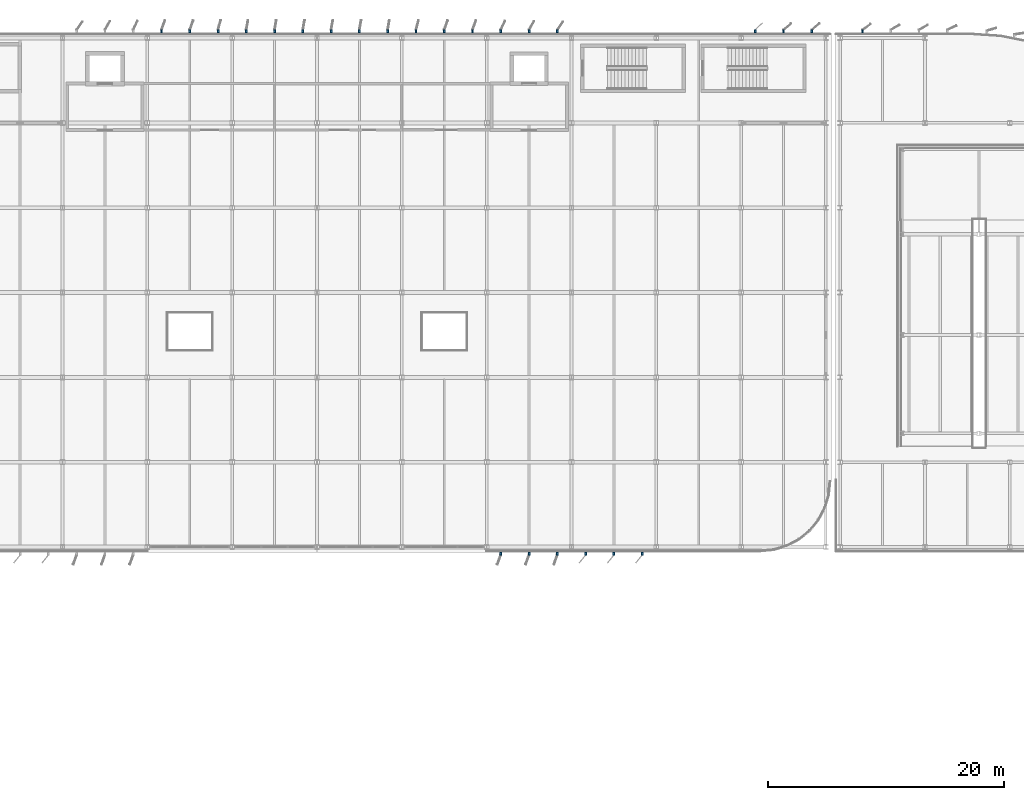
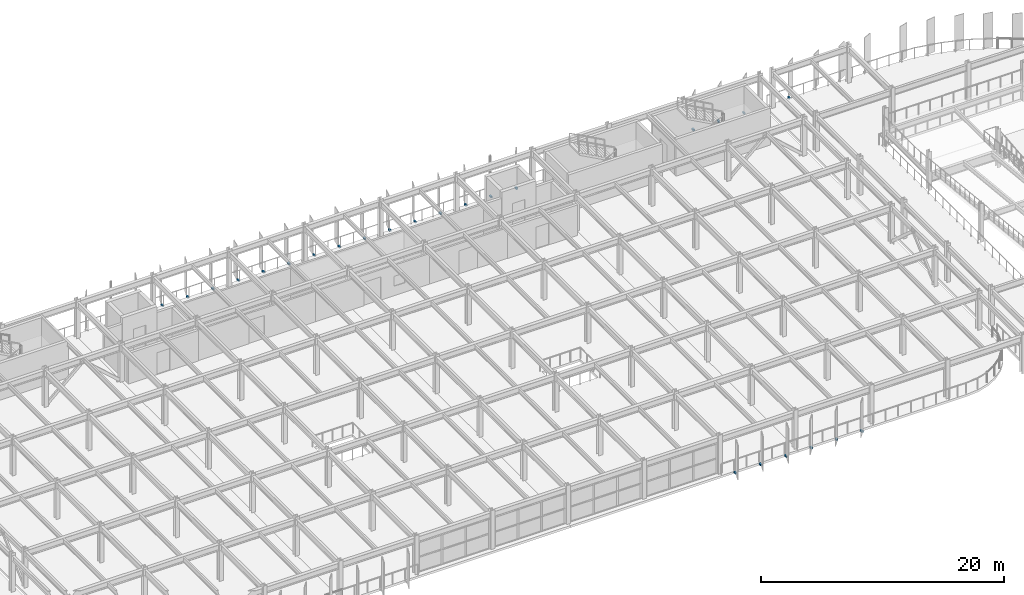
# One storey, part 59 of 80: 25 discrete accessories.
"""IFC4 building model written with IfcOpenShell, lengths in metres."""

from ifc_helpers import new_model, si_unit, direction, frame, origin, origin_2d, place, context, subcontext, project, spatial, rectangle, extrude, material, type_object, element, save


model = new_model("IFC4")

# Units and contexts
model_context = context("Model", 3, precision=1e-05, world=origin(), true_north=direction((0.0, 1.0)))
body_context = subcontext(model_context, "Body", "Model", "MODEL_VIEW")
ifc_project = project(units=[si_unit("LENGTHUNIT", "METRE"), si_unit("AREAUNIT", "SQUARE_METRE"), si_unit("VOLUMEUNIT", "CUBIC_METRE"), si_unit("PLANEANGLEUNIT", "RADIAN"), si_unit("MASSUNIT", "GRAM", prefix="KILO")], contexts=[model_context])

# Site, building, storey
site_placement = place(None, origin())
site = spatial("IfcSite", under=ifc_project, at=site_placement, CompositionType="ELEMENT")
building_placement = place(site_placement, origin())
building = spatial("IfcBuilding", under=site, at=building_placement, Name="Vaelcorin Mobility Hub", CompositionType="ELEMENT")
storey_placement = place(building_placement, frame((0.0, 0.0, 9.300048828125)))
storey = spatial("IfcBuildingStorey", under=building, at=storey_placement, Name="L02", CompositionType="ELEMENT", Elevation=9.300048828125)

# Discrete accessories
ifc_material = material(Name="Galvanised structural steel ASTM A36", Category="steel")
discrete_accessory_type = type_object("IfcDiscreteAccessoryType", Name="ACC-BRK-FIN", PredefinedType="BRACKET", material=ifc_material)
for number, where, z_axis, x_axis, name in (
    (1, (66.0, 120.570068359375, -0.16015625), (0.0, 0.0, 1.0), (0.0, 1.0, 0.0), "Aerofoil Outrigger Bracket FIN-V4-L02-N-05-BK-01"),
    (2, (68.39990234375, 120.570068359375, -0.16015625), (0.0, 0.0, 1.0), (0.0, 1.0, 0.0), "Aerofoil Outrigger Bracket FIN-V4-L02-N-05-BK-02"),
    (3, (70.800048828125, 120.570068359375, -0.16015625), (0.0, 0.0, 1.0), (0.0, 1.0, 0.0), "Aerofoil Outrigger Bracket FIN-V4-L02-N-05-BK-03"),
    (4, (73.199951171875, 120.570068359375, -0.16015625), (0.0, 0.0, 1.0), (0.0, 1.0, 0.0), "Aerofoil Outrigger Bracket FIN-V4-L02-N-06-BK-01"),
    (5, (75.60009765625, 120.570068359375, -0.16015625), (0.0, 0.0, 1.0), (0.0, 1.0, 0.0), "Aerofoil Outrigger Bracket FIN-V4-L02-N-06-BK-02"),
    (6, (78.0, 120.570068359375, -0.16015625), (0.0, 0.0, 1.0), (0.0, 1.0, 0.0), "Aerofoil Outrigger Bracket FIN-V4-L02-N-06-BK-03"),
    (7, (80.39990234375, 120.570068359375, -0.16015625), (0.0, 0.0, 1.0), (0.0, 1.0, 0.0), "Aerofoil Outrigger Bracket FIN-V4-L02-N-07-BK-01"),
    (8, (82.800048828125, 120.570068359375, -0.16015625), (0.0, 0.0, 1.0), (0.0, 1.0, 0.0), "Aerofoil Outrigger Bracket FIN-V4-L02-N-07-BK-02"),
    (9, (85.199951171875, 120.570068359375, -0.16015625), (0.0, 0.0, 1.0), (0.0, 1.0, 0.0), "Aerofoil Outrigger Bracket FIN-V4-L02-N-07-BK-03"),
    (10, (87.60009765625, 120.570068359375, -0.16015625), (0.0, 0.0, 1.0), (0.0, 1.0, 0.0), "Aerofoil Outrigger Bracket FIN-V4-L02-N-08-BK-01"),
    (11, (90.0, 120.570068359375, -0.16015625), (0.0, 0.0, 1.0), (0.0, 1.0, 0.0), "Aerofoil Outrigger Bracket FIN-V4-L02-N-08-BK-02"),
    (12, (92.39990234375, 120.570068359375, -0.16015625), (0.0, 0.0, 1.0), (0.0, 1.0, 0.0), "Aerofoil Outrigger Bracket FIN-V4-L02-N-08-BK-03"),
    (13, (99.60009765625, 76.22998046875, -0.16015625), (0.0, 0.0, 1.0), (0.0, -1.0, 0.0), "Aerofoil Outrigger Bracket FIN-V4-L02-S-09-BK-01"),
    (14, (97.199951171875, 76.22998046875, -0.16015625), (0.0, 0.0, 1.0), (0.0, -1.0, 0.0), "Aerofoil Outrigger Bracket FIN-V4-L02-S-09-BK-02"),
    (15, (94.800048828125, 76.22998046875, -0.16015625), (0.0, 0.0, 1.0), (0.0, -1.0, 0.0), "Aerofoil Outrigger Bracket FIN-V4-L02-S-09-BK-03"),
    (16, (94.800048828125, 120.570068359375, -0.16015625), (0.0, 0.0, 1.0), (0.0, 1.0, 0.0), "Aerofoil Outrigger Bracket FIN-V4-L02-N-09-BK-01"),
    (17, (97.199951171875, 120.570068359375, -0.16015625), (0.0, 0.0, 1.0), (0.0, 1.0, 0.0), "Aerofoil Outrigger Bracket FIN-V4-L02-N-09-BK-02"),
    (18, (99.60009765625, 120.570068359375, -0.16015625), (0.0, 0.0, 1.0), (0.0, 1.0, 0.0), "Aerofoil Outrigger Bracket FIN-V4-L02-N-09-BK-03"),
    (19, (106.800048828125, 76.22998046875, -0.16015625), (0.0, 0.0, 1.0), (0.0, -1.0, 0.0), "Aerofoil Outrigger Bracket FIN-V4-L02-S-10-BK-01"),
    (20, (104.39990234375, 76.22998046875, -0.16015625), (0.0, 0.0, 1.0), (0.0, -1.0, 0.0), "Aerofoil Outrigger Bracket FIN-V4-L02-S-10-BK-02"),
    (21, (102.0, 76.22998046875, -0.16015625), (0.0, 0.0, 1.0), (0.0, -1.0, 0.0), "Aerofoil Outrigger Bracket FIN-V4-L02-S-10-BK-03"),
    (22, (116.39990234375, 120.570068359375, -0.16015625), (0.0, 0.0, 1.0), (0.0, 1.0, 0.0), "Aerofoil Outrigger Bracket FIN-V4-L02-N-12-BK-01"),
    (23, (118.800048828125, 120.570068359375, -0.16015625), (0.0, 0.0, 1.0), (0.0, 1.0, 0.0), "Aerofoil Outrigger Bracket FIN-V4-L02-N-12-BK-02"),
    (24, (121.199951171875, 120.570068359375, -0.16015625), (0.0, 0.0, 1.0), (0.0, 1.0, 0.0), "Aerofoil Outrigger Bracket FIN-V4-L02-N-12-BK-03"),
    (25, (125.5, 120.570068359375, -0.16015625), (0.0, 0.0, 1.0), (0.0, 1.0, 0.0), "Aerofoil Outrigger Bracket FIN-V2E-L02-N-BK-01"),
):
    element("IfcDiscreteAccessory", number, at=place(storey_placement, frame(where, z_axis=z_axis, x_axis=x_axis)), inside=storey, type_object=discrete_accessory_type, Name=name, PredefinedType="BRACKET", context=body_context, shape_type="SweptSolid", body=[
        extrude(rectangle(XDim=0.280029296875, YDim=0.159912109375, at=origin_2d()), origin(), (0.0, 0.0, 1.0), 0.159912109375),
    ])

save(model, "model.ifc")
